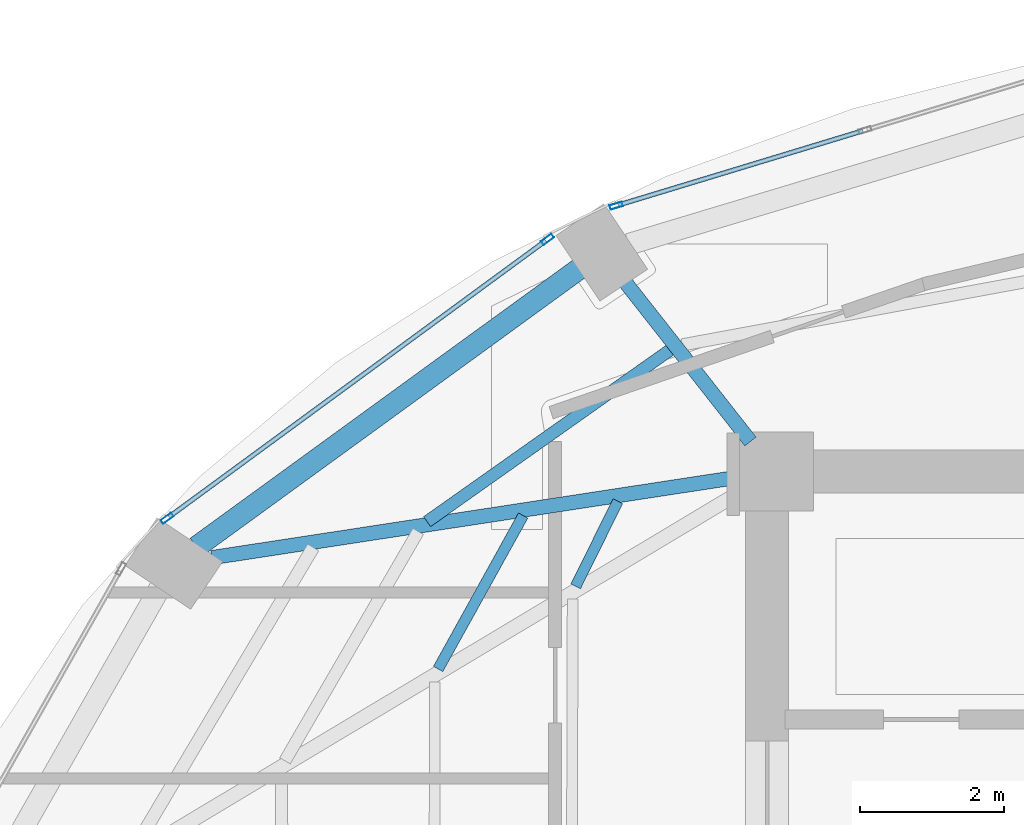
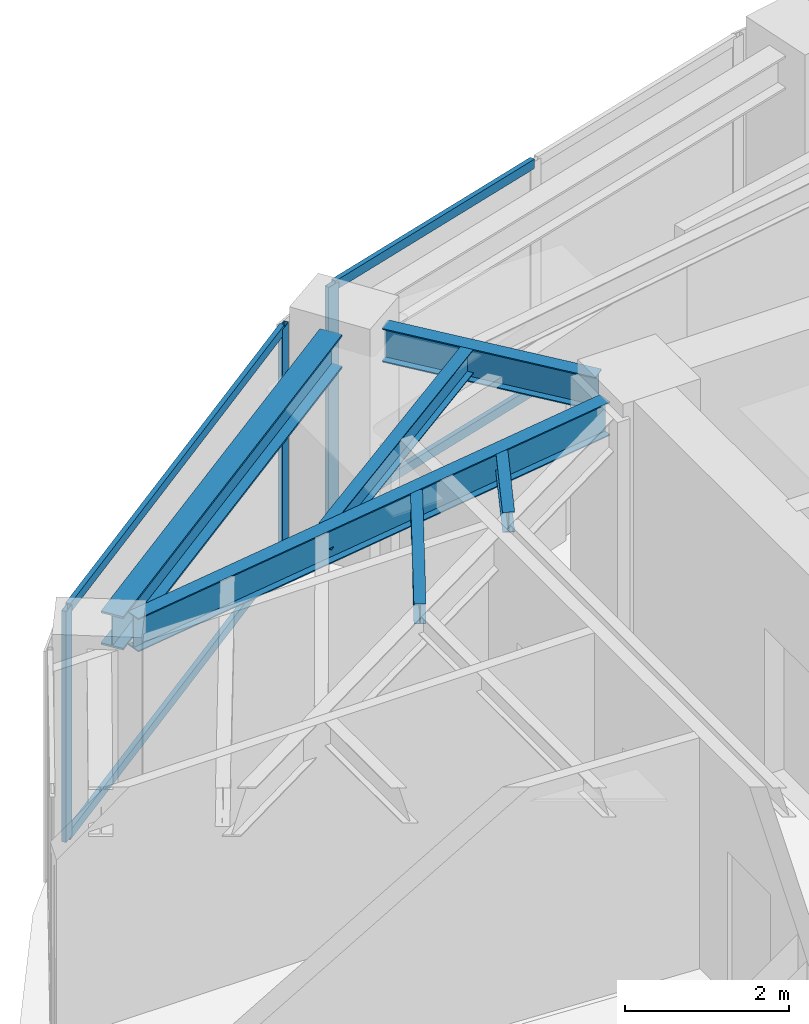
# One storey, part 10 of 23: 7 members, 6 beams, 2 elements without a shape of their own.
"""IFC4 building model written with IfcOpenShell, lengths in metres."""

import ifcopenshell
import ifcopenshell.guid

model = None  # the IFC model being written
_history = None  # IfcOwnerHistory: only IFC2X3 demands one
_inside = {}  # id of a spatial element -> (the spatial element, [elements in it])
_under = {}  # id of a project, library or spatial element -> (it, [spatial elements below it])
_declared = {}  # id of a project -> (the project, [libraries it declares])
_typed = {}  # id of a type object -> (the type object, [elements of that type])
_made_of = {}  # id of a material, layer set ... -> (it, [elements and type objects made of it])


def new_model(schema):
    """Start an empty IFC model of exactly this schema.

    Asked for "IFC4X3", IfcOpenShell would pick the latest addendum, in which some entities
    have other attributes; the version numbers below select the first issue.
    IFC2X3 requires an IfcOwnerHistory on every rooted entity: one is made here for all.
    """
    global model, _history
    if schema == "IFC4X3":
        model = ifcopenshell.file(schema_version=(4, 3, 0, 0))
    else:
        model = ifcopenshell.file(schema=schema)
    _inside.clear()
    _under.clear()
    _declared.clear()
    _typed.clear()
    _made_of.clear()
    _history = None
    if model.schema == "IFC2X3":
        org = make("IfcOrganization", Name="unknown")
        user = make(
            "IfcPersonAndOrganization",
            ThePerson=make("IfcPerson", FamilyName="unknown"),
            TheOrganization=org,
        )
        app = make(
            "IfcApplication",
            ApplicationDeveloper=org,
            Version="unknown",
            ApplicationFullName="unknown",
            ApplicationIdentifier="unknown",
        )
        _history = make(
            "IfcOwnerHistory",
            OwningUser=user,
            OwningApplication=app,
            ChangeAction="ADDED",
            CreationDate=0,
        )
    return model


def make(cls, **values):
    """One entity of the class cls with the attributes given. An attribute that is None is left unset."""
    return model.create_entity(
        cls, **{name: value for name, value in values.items() if value is not None}
    )


def rooted(cls, **values):
    """An entity with a GlobalId (a new one), such as an element, a storey or a relation."""
    return make(cls, GlobalId=ifcopenshell.guid.new(), OwnerHistory=_history, **values)


def si_unit(unit_type, name, prefix=None):
    """IfcSIUnit, for example si_unit("LENGTHUNIT", "METRE", prefix="MILLI")."""
    return make("IfcSIUnit", UnitType=unit_type, Prefix=prefix, Name=name)


def assignment(units):
    """IfcUnitAssignment: the units of a project."""
    return None if units is None else make("IfcUnitAssignment", Units=units)


def point(xyz):
    """IfcCartesianPoint."""
    return None if xyz is None else make("IfcCartesianPoint", Coordinates=xyz)


def direction(xyz):
    """IfcDirection."""
    return None if xyz is None else make("IfcDirection", DirectionRatios=xyz)


def frame(location, z_axis=None, x_axis=None):
    """IfcAxis2Placement3D, a coordinate frame: its origin and axes. An axis left out is left unset."""
    return make(
        "IfcAxis2Placement3D",
        Location=point(location),
        Axis=direction(z_axis),
        RefDirection=direction(x_axis),
    )


def frame_2d(location, x_axis=None):
    """IfcAxis2Placement2D, a coordinate frame in the plane: its origin and x axis."""
    return make(
        "IfcAxis2Placement2D", Location=point(location), RefDirection=direction(x_axis)
    )


def origin():
    """The frame at (0, 0, 0) with its axes left unset."""
    return frame((0.0, 0.0, 0.0))


def origin_2d():
    """The frame at (0, 0) in the plane with its x axis left unset."""
    return frame_2d((0.0, 0.0))


def place(relative_to, where):
    """IfcLocalPlacement: puts the frame where relative to a parent placement (None: the world)."""
    return make(
        "IfcLocalPlacement", PlacementRelTo=relative_to, RelativePlacement=where
    )


def context(
    kind, dimensions, precision=None, world=None, true_north=None, identifier=None
):
    """IfcGeometricRepresentationContext, for example the 3D "Model" context."""
    return make(
        "IfcGeometricRepresentationContext",
        ContextIdentifier=identifier,
        ContextType=kind,
        CoordinateSpaceDimension=dimensions,
        Precision=precision,
        WorldCoordinateSystem=world,
        TrueNorth=true_north,
    )


def subcontext(parent, identifier, kind, view, scale=None):
    """IfcGeometricRepresentationSubContext, for example "Body" below "Model"."""
    return make(
        "IfcGeometricRepresentationSubContext",
        ContextIdentifier=identifier,
        ContextType=kind,
        ParentContext=parent,
        TargetScale=scale,
        TargetView=view,
    )


def project(units=None, contexts=None):
    """IfcProject with its units and contexts."""
    return rooted(
        "IfcProject",
        Name="project",
        RepresentationContexts=contexts,
        UnitsInContext=assignment(units),
    )


def spatial(cls, under=None, at=None, **own):
    """A site, building, storey or space (cls), placed at a placement, below another one or the project."""
    s = rooted(cls, ObjectPlacement=at, **own)
    if under is not None:
        _under.setdefault(under.id(), (under, []))[1].append(s)
    return s


def profile(cls, at=None, kind="AREA", **sizes):
    """A parametric profile (cls). Its sizes go by their IFC names, for example OverallWidth=200.0."""
    return make(cls, ProfileType=kind, Position=at, **sizes)


def hollow_rectangle(**sizes):
    """IfcRectangleHollowProfileDef."""
    return profile("IfcRectangleHollowProfileDef", **sizes)


def i_section(**sizes):
    """IfcIShapeProfileDef."""
    return profile("IfcIShapeProfileDef", **sizes)


def extrude(swept, where, along, depth):
    """IfcExtrudedAreaSolid: the profile swept, set in the frame where, extruded along a direction by depth."""
    return make(
        "IfcExtrudedAreaSolid",
        SweptArea=swept,
        Position=where,
        ExtrudedDirection=direction(along),
        Depth=depth,
    )


def shape(context_of_items, identifier, shape_type, items):
    """IfcShapeRepresentation: the items that make up one representation, for example the "Body"."""
    return make(
        "IfcShapeRepresentation",
        ContextOfItems=context_of_items,
        RepresentationIdentifier=identifier,
        RepresentationType=shape_type,
        Items=items,
    )


def material(Name=None, Category=None):
    """IfcMaterial."""
    return make("IfcMaterial", Name=Name, Category=Category)


def layer(
    of_material, thickness, ventilated=None, Name=None, Category=None, Priority=None
):
    """IfcMaterialLayer: one layer of a wall or slab, of a material (None: an air gap)."""
    return make(
        "IfcMaterialLayer",
        Material=of_material,
        LayerThickness=thickness,
        IsVentilated=ventilated,
        Name=Name,
        Category=Category,
        Priority=Priority,
    )


def layer_set(layers, Name=None):
    """IfcMaterialLayerSet."""
    return make("IfcMaterialLayerSet", MaterialLayers=layers, LayerSetName=Name)


def material_profile(
    of_material, cross_section, Name=None, Category=None, Priority=None
):
    """IfcMaterialProfile: a cross section and its material."""
    return make(
        "IfcMaterialProfile",
        Name=Name,
        Material=of_material,
        Profile=cross_section,
        Priority=Priority,
        Category=Category,
    )


def profile_set(profiles, Name=None, composite=None):
    """IfcMaterialProfileSet."""
    return make(
        "IfcMaterialProfileSet",
        Name=Name,
        MaterialProfiles=profiles,
        CompositeProfile=composite,
    )


def made_of(thing, what):
    """Note that an element or type object is made of a material, layer set ...; save() writes the relation."""
    if what is not None:
        _made_of.setdefault(what.id(), (what, []))[1].append(thing)
    return thing


def type_object(cls, material=None, **own):
    """A type object (cls), such as IfcWallType, which elements share."""
    return made_of(rooted(cls, **own), material)


def element(
    cls,
    number,
    at=None,
    inside=None,
    cuts=None,
    type_object=None,
    material=None,
    context=None,
    identifier="Body",
    shape_type=None,
    held_by="IfcProductDefinitionShape",
    body=None,
    shapes=None,
    **own,
):
    """One element of the class cls, such as IfcWall. Its Tag is "e" and its number.

    at: its placement. inside: the storey or other place that contains it. cuts: it is an
    opening in that element (IfcRelVoidsElement). A single representation is given by context,
    identifier, shape_type and body (its items); several are given by shapes. held_by: the class
    of the entity that holds the representations. save() writes the other relations.
    """
    e = rooted(cls, Tag="e%d" % number, ObjectPlacement=at, **own)
    if body is not None:
        shapes = [shape(context, identifier, shape_type, body)]
    if shapes is not None:
        e.Representation = make(held_by, Representations=shapes)
    if inside is not None:
        _inside.setdefault(inside.id(), (inside, []))[1].append(e)
    if cuts is not None:
        rooted(
            "IfcRelVoidsElement", RelatingBuildingElement=cuts, RelatedOpeningElement=e
        )
    if type_object is not None:
        _typed.setdefault(type_object.id(), (type_object, []))[1].append(e)
    return made_of(e, material)


def aggregate(whole, parts):
    """IfcRelAggregates: a whole, such as a stair, and the parts it consists of."""
    return rooted("IfcRelAggregates", RelatingObject=whole, RelatedObjects=parts)


def save(model, path):
    """Write the relations noted so far, then the file.

    IfcRelAggregates (storeys below a building ...), IfcRelContainedInSpatialStructure (elements
    in a storey), IfcRelDefinesByType, IfcRelAssociatesMaterial and IfcRelDeclares: one each for
    every whole, place, type object, material and project.
    """
    for whole, parts in _under.values():
        aggregate(whole, parts)
    for where, things in _inside.values():
        rooted(
            "IfcRelContainedInSpatialStructure",
            RelatedElements=things,
            RelatingStructure=where,
        )
    for kind, things in _typed.values():
        rooted("IfcRelDefinesByType", RelatedObjects=things, RelatingType=kind)
    for what, things in _made_of.values():
        rooted("IfcRelAssociatesMaterial", RelatedObjects=things, RelatingMaterial=what)
    for by, libraries in _declared.values():
        rooted("IfcRelDeclares", RelatingContext=by, RelatedDefinitions=libraries)
    model.write(path)


model = new_model("IFC4")

# Units and contexts
model_context = context("Model", 3, precision=1e-05, world=origin(), true_north=direction((0.0, 1.0)))
body_context = subcontext(model_context, "Body", "Model", "MODEL_VIEW")
ifc_project = project(units=[si_unit("LENGTHUNIT", "METRE"), si_unit("AREAUNIT", "SQUARE_METRE"), si_unit("VOLUMEUNIT", "CUBIC_METRE"), si_unit("PLANEANGLEUNIT", "RADIAN"), si_unit("MASSUNIT", "GRAM", prefix="KILO")], contexts=[model_context])

# Site, building, storey
site_placement = place(None, origin())
site = spatial("IfcSite", under=ifc_project, at=site_placement, CompositionType="ELEMENT")
building_placement = place(site_placement, origin())
building = spatial("IfcBuilding", under=site, at=building_placement, Name="Lazwardi Medical Tower", CompositionType="ELEMENT")
storey_placement = place(building_placement, frame((0.0, 0.0, 209.424072265625)))
storey = spatial("IfcBuildingStorey", under=building, at=storey_placement, Name="L54", CompositionType="ELEMENT", Elevation=209.424072265625)

# Beams
ifc_material_1 = material(Name="Steel S355", Category="steel")
ifc_material_profile_1 = material_profile(ifc_material_1, i_section(OverallWidth=0.300048828125, OverallDepth=0.5, WebThickness=0.014404296875, FlangeThickness=0.028076171875, at=origin_2d()), Name="HEB 500")
ifc_profile_set_1 = profile_set([ifc_material_profile_1], Name="Steel S355")
beam_type_1 = type_object("IfcBeamType", Name="BM-RB-Z4", PredefinedType="BEAM", material=ifc_profile_set_1)
beam_1_placement = place(storey_placement, frame((23.68408203125, 38.4248046875, 3.197998046875), z_axis=(-0.808889916254, -0.587960120571, 0.0), x_axis=(0.587960120571, -0.808889916254, 0.0)))
element("IfcBeam", 1, at=beam_1_placement, inside=storey, type_object=beam_type_1, Name="Ring beam RB-05 B10 L54", PredefinedType="BEAM", context=body_context, shape_type="SweptSolid", body=[
    extrude(i_section(OverallWidth=0.300048828125, OverallDepth=0.5, WebThickness=0.014404296875, FlangeThickness=0.028076171875, at=origin_2d()), origin(), (0.0, 0.0, 1.0), 6.587158203125),
])
ifc_material_profile_2 = material_profile(ifc_material_1, i_section(OverallWidth=0.199951171875, OverallDepth=0.5, WebThickness=0.01025390625, FlangeThickness=0.01611328125, at=origin_2d()), Name="IPE 500")
ifc_profile_set_2 = profile_set([ifc_material_profile_2], Name="Steel S355")
beam_type_2 = type_object("IfcBeamType", Name="BM-RG-W3", PredefinedType="BEAM", material=ifc_profile_set_2)
beam_2_placement = place(storey_placement, frame((24.330322265625, 38.2333984375, 3.197998046875), z_axis=(0.617890508382, -0.786264153864, 0.0), x_axis=(0.786264153864, 0.617890508382, 0.0)))
element("IfcBeam", 2, at=beam_2_placement, inside=storey, type_object=beam_type_2, Name="Radial girder RG-04 R10 L54", PredefinedType="BEAM", context=body_context, shape_type="SweptSolid", body=[
    extrude(i_section(OverallWidth=0.199951171875, OverallDepth=0.5, WebThickness=0.01025390625, FlangeThickness=0.01611328125, at=origin_2d()), origin(), (0.0, 0.0, 1.0), 2.814453125),
])
beam_3_placement = place(storey_placement, frame((18.569091796875, 34.4033203125, 3.197998046875), z_axis=(0.988522137285, 0.151076087115, 0.0), x_axis=(-0.151076087115, 0.988522137285, 0.0)))
element("IfcBeam", 3, at=beam_3_placement, inside=storey, type_object=beam_type_2, Name="Radial girder RG-04 R11 L54", PredefinedType="BEAM", context=body_context, shape_type="SweptSolid", body=[
    extrude(i_section(OverallWidth=0.199951171875, OverallDepth=0.5, WebThickness=0.01025390625, FlangeThickness=0.01611328125, at=origin_2d()), origin(), (0.0, 0.0, 1.0), 7.38671875),
])
ifc_material_profile_3 = material_profile(ifc_material_1, i_section(OverallWidth=0.169921875, OverallDepth=0.360107421875, WebThickness=0.008056640625, FlangeThickness=0.0126953125, at=origin_2d()), Name="IPE 360")
ifc_profile_set_3 = profile_set([ifc_material_profile_3], Name="Steel S355")
beam_type_3 = type_object("IfcBeamType", Name="BM-SJ-02", PredefinedType="JOIST", material=ifc_profile_set_3)
beam_4_placement = place(storey_placement, frame((24.948486328125, 37.29345703125, 3.267822265625), z_axis=(-0.816711190406, -0.577046645832, 0.0), x_axis=(0.577046645832, -0.816711190406, 0.0)))
element("IfcBeam", 4, at=beam_4_placement, inside=storey, type_object=beam_type_3, Name="Secondary joist SJ-02 R2 B10 L54", PredefinedType="JOIST", context=body_context, shape_type="SweptSolid", body=[
    extrude(i_section(OverallWidth=0.169921875, OverallDepth=0.360107421875, WebThickness=0.008056640625, FlangeThickness=0.0126953125, at=origin_2d()), origin(), (0.0, 0.0, 1.0), 4.139892578125),
])
ifc_material_profile_4 = material_profile(ifc_material_1, i_section(OverallWidth=0.14990234375, OverallDepth=0.300048828125, WebThickness=0.007080078125, FlangeThickness=0.0107421875, at=origin_2d()), Name="IPE 300")
ifc_profile_set_4 = profile_set([ifc_material_profile_4], Name="Steel S355")
beam_type_4 = type_object("IfcBeamType", Name="BM-SJ-03", PredefinedType="JOIST", material=ifc_profile_set_4)
beam_5_placement = place(storey_placement, frame((22.904296875, 34.98974609375, 3.2978515625), z_axis=(-0.484751625998, -0.874651851363, 0.0), x_axis=(0.874651851363, -0.484751625998, 0.0)))
element("IfcBeam", 5, at=beam_5_placement, inside=storey, type_object=beam_type_4, Name="Secondary joist SJ-03 R3 B11 L54", PredefinedType="JOIST", context=body_context, shape_type="SweptSolid", body=[
    extrude(i_section(OverallWidth=0.14990234375, OverallDepth=0.300048828125, WebThickness=0.007080078125, FlangeThickness=0.0107421875, at=origin_2d()), origin(), (0.0, 0.0, 1.0), 2.442626953125),
])
beam_6_placement = place(storey_placement, frame((24.222412109375, 35.188720703125, 3.2978515625), z_axis=(-0.443587297772, -0.89623116954, 0.0), x_axis=(0.89623116954, -0.443587297772, 0.0)))
element("IfcBeam", 6, at=beam_6_placement, inside=storey, type_object=beam_type_4, Name="Secondary joist SJ-03 R4 B11 L54", PredefinedType="JOIST", context=body_context, shape_type="SweptSolid", body=[
    extrude(i_section(OverallWidth=0.14990234375, OverallDepth=0.300048828125, WebThickness=0.007080078125, FlangeThickness=0.0107421875, at=origin_2d()), origin(), (0.0, 0.0, 1.0), 1.32080078125),
])

# Curtain wall, member
ifc_material_2 = material(Name="Anodised bronze aluminium and solar control glazing", Category="aluminium")
ifc_layer = layer(ifc_material_2, 0.18994140625)
ifc_layer_set = layer_set([ifc_layer], Name="Anodised bronze aluminium and solar control glazing")
curtain_wall_type = type_object("IfcCurtainWallType", Name="CW-SYS-04", PredefinedType="NOTDEFINED", material=ifc_layer_set)
curtain_wall_1_placement = place(storey_placement, origin())
curtain_wall_1 = element("IfcCurtainWall", 7, at=curtain_wall_1_placement, inside=storey, type_object=curtain_wall_type, Name="L54 Unitised bronze curtain wall CW-04", PredefinedType="NOTDEFINED")
ifc_material_3 = material(Name="Anodised bronze aluminium", Category="aluminium")
ifc_material_profile_5 = material_profile(ifc_material_3, hollow_rectangle(XDim=0.06494140625, YDim=0.179931640625, WallThickness=0.00390625, at=origin_2d()), Name="ALU-MULLION 180x65x4")
ifc_profile_set_5 = profile_set([ifc_material_profile_5], Name="Anodised bronze aluminium")
member_type_1 = type_object("IfcMemberType", Name="CW-MUL-03", PredefinedType="MULLION", material=ifc_profile_set_5)
member_1_placement = place(storey_placement, frame((24.2001953125, 39.303466796875, 0.0), z_axis=(0.0, 0.0, 1.0), x_axis=(0.290581889515, -0.956850126972, 0.0)))
member_1 = element("IfcMember", 8, at=member_1_placement, type_object=member_type_1, Name="CW-04 mullion 3", PredefinedType="MULLION", context=body_context, shape_type="SweptSolid", body=[
    extrude(hollow_rectangle(XDim=0.06494140625, YDim=0.179931640625, WallThickness=0.00390625, at=origin_2d()), origin(), (0.0, 0.0, 1.0), 3.447998046875),
])

# Curtain wall, members
curtain_wall_2_placement = place(storey_placement, origin())
curtain_wall_2 = element("IfcCurtainWall", 9, at=curtain_wall_2_placement, inside=storey, type_object=curtain_wall_type, Name="L54 Unitised bronze curtain wall CW-04", PredefinedType="NOTDEFINED")
member_2_placement = place(storey_placement, frame((23.24462890625, 38.8349609375, 0.0), z_axis=(0.0, 0.0, 1.0), x_axis=(0.591268230971, -0.806474971121, 0.0)))
member_2 = element("IfcMember", 10, at=member_2_placement, type_object=member_type_1, Name="CW-04 mullion 1", PredefinedType="MULLION", context=body_context, shape_type="SweptSolid", body=[
    extrude(hollow_rectangle(XDim=0.06494140625, YDim=0.179931640625, WallThickness=0.00390625, at=origin_2d()), origin(), (0.0, 0.0, 1.0), 3.447998046875),
])
member_3_placement = place(storey_placement, frame((17.947998046875, 34.95166015625, 0.0), z_axis=(0.0, 0.0, 1.0), x_axis=(0.591268230971, -0.806474971121, 0.0)))
member_3 = element("IfcMember", 11, at=member_3_placement, type_object=member_type_1, Name="CW-04 mullion 2", PredefinedType="MULLION", context=body_context, shape_type="SweptSolid", body=[
    extrude(hollow_rectangle(XDim=0.06494140625, YDim=0.179931640625, WallThickness=0.00390625, at=origin_2d()), origin(), (0.0, 0.0, 1.0), 3.447998046875),
])

# Member
ifc_material_profile_6 = material_profile(ifc_material_3, hollow_rectangle(XDim=0.06494140625, YDim=0.139892578125, WallThickness=0.00341796875, at=origin_2d()), Name="ALU-TRANSOM 140x65x3.5")
ifc_profile_set_6 = profile_set([ifc_material_profile_6], Name="Anodised bronze aluminium")
member_type_2 = type_object("IfcMemberType", Name="CW-TRN-03", PredefinedType="USERDEFINED", material=ifc_profile_set_6)
member_4_placement = place(storey_placement, frame((27.632568359375, 40.345947265625, 0.032470703125), z_axis=(-0.956843409009, -0.290604010015, 0.0), x_axis=(0.290604010015, -0.956843409009, 0.0)))
member_4 = element("IfcMember", 12, at=member_4_placement, type_object=member_type_2, Name="CW-04 transom 2.1", ObjectType="TRANSOM", PredefinedType="USERDEFINED", context=body_context, shape_type="SweptSolid", body=[
    extrude(hollow_rectangle(XDim=0.06494140625, YDim=0.139892578125, WallThickness=0.00341796875, at=origin_2d()), origin(), (0.0, 0.0, 1.0), 3.554443359375),
])

member_5_placement = place(storey_placement, frame((27.632568359375, 40.345947265625, 3.41552734375), z_axis=(-0.956843409009, -0.290604010015, 0.0), x_axis=(0.290604010015, -0.956843409009, 0.0)))
member_5 = element("IfcMember", 13, at=member_5_placement, type_object=member_type_2, Name="CW-04 transom 2.2", ObjectType="TRANSOM", PredefinedType="USERDEFINED", context=body_context, shape_type="SweptSolid", body=[
    extrude(hollow_rectangle(XDim=0.06494140625, YDim=0.139892578125, WallThickness=0.00341796875, at=origin_2d()), origin(), (0.0, 0.0, 1.0), 3.554443359375),
])

aggregate(curtain_wall_1, [member_1, member_4, member_5])

member_6_placement = place(storey_placement, frame((23.218505859375, 38.815673828125, 0.032470703125), z_axis=(-0.80648973359, -0.591248094808, 0.0), x_axis=(0.591248094808, -0.80648973359, 0.0)))
member_6 = element("IfcMember", 14, at=member_6_placement, type_object=member_type_2, Name="CW-04 transom 1.1", ObjectType="TRANSOM", PredefinedType="USERDEFINED", context=body_context, shape_type="SweptSolid", body=[
    extrude(hollow_rectangle(XDim=0.06494140625, YDim=0.139892578125, WallThickness=0.00341796875, at=origin_2d()), origin(), (0.0, 0.0, 1.0), 6.502685546875),
])

member_7_placement = place(storey_placement, frame((23.218505859375, 38.815673828125, 3.41552734375), z_axis=(-0.80648973359, -0.591248094808, 0.0), x_axis=(0.591248094808, -0.80648973359, 0.0)))
member_7 = element("IfcMember", 15, at=member_7_placement, type_object=member_type_2, Name="CW-04 transom 1.2", ObjectType="TRANSOM", PredefinedType="USERDEFINED", context=body_context, shape_type="SweptSolid", body=[
    extrude(hollow_rectangle(XDim=0.06494140625, YDim=0.139892578125, WallThickness=0.00341796875, at=origin_2d()), origin(), (0.0, 0.0, 1.0), 6.502685546875),
])

aggregate(curtain_wall_2, [member_2, member_3, member_6, member_7])

save(model, "model.ifc")
